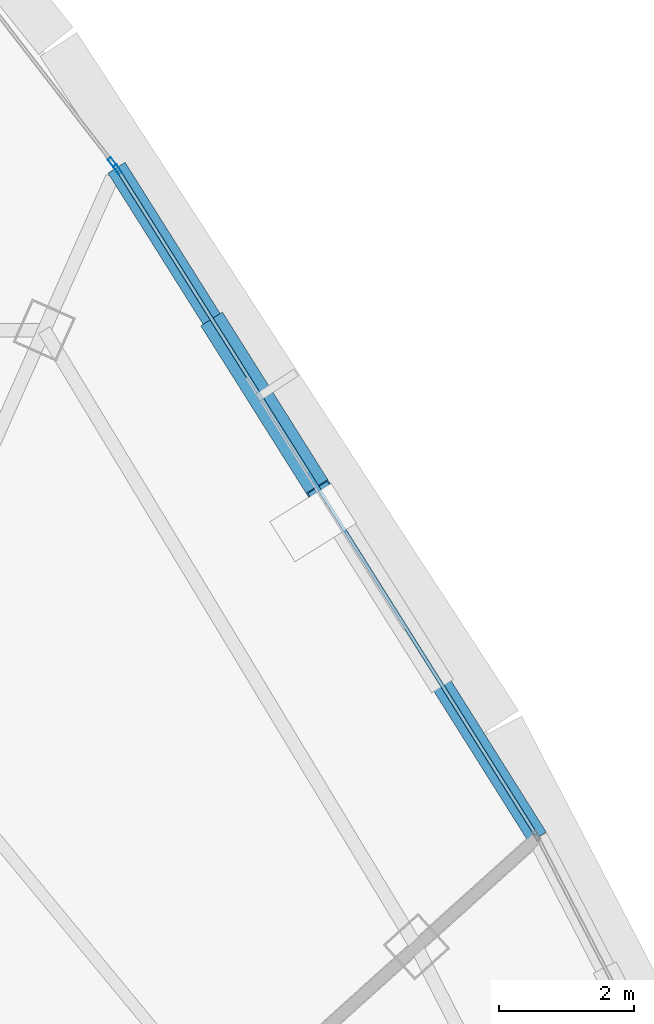
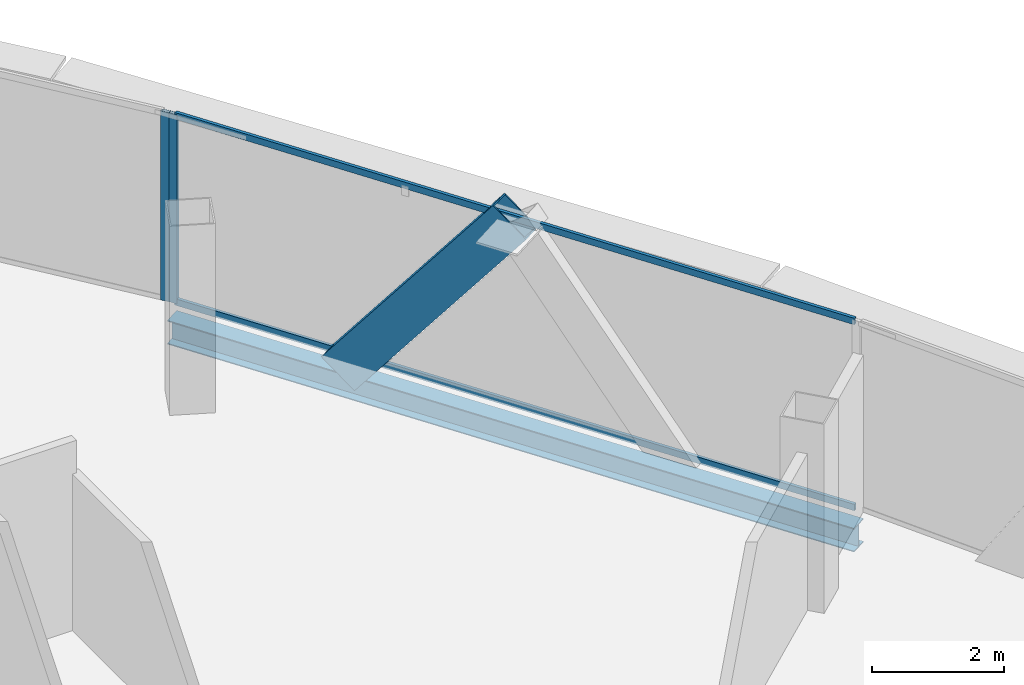
# One storey, part 20 of 30: 5 members, 1 beam, 2 elements without a shape of their own.
"""IFC4 building model written with IfcOpenShell, lengths in metres."""

from ifc_helpers import new_model, si_unit, direction, frame, origin, origin_2d, place, context, subcontext, project, spatial, hollow_rectangle, i_section, extrude, source, transform, mapped, material, layer, layer_set, material_profile, profile_set, type_object, element, aggregate, save


model = new_model("IFC4")

# Units and contexts
model_context = context("Model", 3, precision=1e-05, world=origin(), true_north=direction((0.0, 1.0)))
body_context = subcontext(model_context, "Body", "Model", "MODEL_VIEW")
ifc_project = project(units=[si_unit("LENGTHUNIT", "METRE"), si_unit("AREAUNIT", "SQUARE_METRE"), si_unit("VOLUMEUNIT", "CUBIC_METRE"), si_unit("PLANEANGLEUNIT", "RADIAN"), si_unit("MASSUNIT", "GRAM", prefix="KILO"), si_unit("THERMODYNAMICTEMPERATUREUNIT", "KELVIN"), si_unit("POWERUNIT", "WATT")], contexts=[model_context])

# Site, building, storey
site_placement = place(None, origin())
site = spatial("IfcSite", under=ifc_project, at=site_placement, CompositionType="ELEMENT")
building_placement = place(site_placement, origin())
building = spatial("IfcBuilding", under=site, at=building_placement, Name="Yunzhuo Pagoda Commons", CompositionType="ELEMENT")
storey_placement = place(building_placement, frame((0.0, 0.0, 355.510009765625)))
storey = spatial("IfcBuildingStorey", under=building, at=storey_placement, Name="L89", CompositionType="ELEMENT", Elevation=355.510009765625)

# Beam
ifc_material_1 = material(Name="Structural steel Q355B", Category="steel")
ifc_material_profile_1 = material_profile(ifc_material_1, i_section(OverallWidth=0.300048828125, OverallDepth=0.43994140625, WebThickness=0.010986328125, FlangeThickness=0.01806640625, at=origin_2d()), Name="Structural steel Q355B")
ifc_profile_set_1 = profile_set([ifc_material_profile_1], Name="Structural steel Q355B")
beam_type = type_object("IfcBeamType", Name="B-SP2 Beam HM 440x300x11x18", PredefinedType="BEAM", material=ifc_profile_set_1)
shared_shape_1 = source(origin(), body_context, "Body", "SweptSolid", [
    extrude(i_section(OverallWidth=0.300048828125, OverallDepth=0.43994140625, WebThickness=0.010986328125, FlangeThickness=0.01806640625, at=origin_2d()), origin(), (0.0, 0.0, 1.0), 11.74462890625),
])
beam_placement = place(storey_placement, frame((65.824462890625, 49.749267578125, -0.47998046875), z_axis=(-0.532345654655, 0.846527084014, 0.0), x_axis=(-0.846527084014, -0.532345654655, 0.0)))
element("IfcBeam", 1, at=beam_placement, inside=storey, type_object=beam_type, Name="L89 facade edge spandrel beam F2.3", PredefinedType="BEAM", context=body_context, shape_type="MappedRepresentation", body=[
    mapped(shared_shape_1, transform((0.0, 0.0, 0.0), scale=1.0)),
])

# Member
ifc_material_profile_2 = material_profile(ifc_material_1, hollow_rectangle(XDim=0.3798828125, YDim=0.719970703125, WallThickness=0.02001953125, at=origin_2d()), Name="Structural steel Q355B")
ifc_profile_set_2 = profile_set([ifc_material_profile_2], Name="Structural steel Q355B")
member_type_1 = type_object("IfcMemberType", Name="M-DL3 Brace BOX 720x380x20", PredefinedType="BRACE", material=ifc_profile_set_2)
shared_shape_2 = source(origin(), body_context, "Body", "SweptSolid", [
    extrude(hollow_rectangle(XDim=0.3798828125, YDim=0.719970703125, WallThickness=0.02001953125, at=origin_2d()), origin(), (0.0, 0.0, 1.0), 4.7626953125),
])
member_1_placement = place(storey_placement, frame((61.13525390625, 57.2060546875, -0.260009765625), z_axis=(0.32821625182, -0.52187563014, 0.787349934087), x_axis=(0.846504872125, 0.532380973992, 0.0)))
element("IfcMember", 2, at=member_1_placement, inside=storey, type_object=member_type_1, Name="L89 facade diamond brace F2.3R", PredefinedType="BRACE", context=body_context, shape_type="MappedRepresentation", body=[
    mapped(shared_shape_2, transform((0.0, 0.0, 0.0), scale=1.0)),
])

# Curtain wall, member
ifc_material_2 = material(Name="Anodized aluminium 6063-T6", Category="aluminium")
ifc_layer = layer(ifc_material_2, 0.139892578125)
ifc_layer_set = layer_set([ifc_layer], Name="Anodized aluminium 6063-T6")
curtain_wall_type = type_object("IfcCurtainWallType", Name="CW-HI High-Zone Ribbon Curtain Wall", PredefinedType="NOTDEFINED", material=ifc_layer_set)
curtain_wall_1_placement = place(storey_placement, origin())
curtain_wall_1 = element("IfcCurtainWall", 3, at=curtain_wall_1_placement, inside=storey, type_object=curtain_wall_type, Name="L89 curtain wall CW-L89-F2B4", PredefinedType="NOTDEFINED")
ifc_material_profile_3 = material_profile(ifc_material_2, hollow_rectangle(XDim=0.06005859375, YDim=0.139892578125, WallThickness=0.00341796875, at=origin_2d()), Name="Anodized aluminium 6063-T6")
ifc_profile_set_3 = profile_set([ifc_material_profile_3], Name="Anodized aluminium 6063-T6")
member_type_2 = type_object("IfcMemberType", Name="CW-HI-M Mullion RHS 140x60x3.5", PredefinedType="MULLION", material=ifc_profile_set_3)
shared_shape_3 = source(origin(), body_context, "Body", "SweptSolid", [
    extrude(hollow_rectangle(XDim=0.06005859375, YDim=0.139892578125, WallThickness=0.00341796875, at=origin_2d()), origin(), (0.0, 0.0, 1.0), 3.489990234375),
])
member_2_placement = place(storey_placement, frame((59.588134765625, 59.666015625, 0.0), z_axis=(0.0, 0.0, 1.0), x_axis=(-0.846524621891, -0.532349569861, 0.0)))
member_2 = element("IfcMember", 4, at=member_2_placement, type_object=member_type_2, Name="CW mullion 2", PredefinedType="MULLION", context=body_context, shape_type="MappedRepresentation", body=[
    mapped(shared_shape_3, transform((0.0, 0.0, 0.0), scale=1.0)),
])

curtain_wall_2_placement = place(storey_placement, origin())
curtain_wall_2 = element("IfcCurtainWall", 5, at=curtain_wall_2_placement, inside=storey, type_object=curtain_wall_type, Name="L89 curtain wall CW-L89-F2B5", PredefinedType="NOTDEFINED")
member_3_placement = place(storey_placement, frame((59.508056640625, 59.7744140625, 0.0), z_axis=(0.0, 0.0, 1.0), x_axis=(-0.790927145065, -0.611910329378, 0.0)))
member_3 = element("IfcMember", 6, at=member_3_placement, type_object=member_type_2, Name="CW mullion 1", PredefinedType="MULLION", context=body_context, shape_type="MappedRepresentation", body=[
    mapped(shared_shape_3, transform((0.0, 0.0, 0.0), scale=1.0)),
])
aggregate(curtain_wall_2, [member_3])

# Member
ifc_material_profile_4 = material_profile(ifc_material_2, hollow_rectangle(XDim=0.054931640625, YDim=0.1201171875, WallThickness=0.00341796875, at=origin_2d()), Name="Anodized aluminium 6063-T6")
ifc_profile_set_4 = profile_set([ifc_material_profile_4], Name="Anodized aluminium 6063-T6")
member_type_3 = type_object("IfcMemberType", Name="CW-HI-T Transom RHS 120x55x3.5", PredefinedType="USERDEFINED", material=ifc_profile_set_4)
shared_shape_4 = source(origin(), body_context, "Body", "SweptSolid", [
    extrude(hollow_rectangle(XDim=0.054931640625, YDim=0.1201171875, WallThickness=0.00341796875, at=origin_2d()), origin(), (0.0, 0.0, 1.0), 11.624755859375),
])
member_4_placement = place(storey_placement, frame((65.792724609375, 49.800048828125, 0.027587890625), z_axis=(-0.532354761255, 0.846521357184, 0.0), x_axis=(-0.846521357184, -0.532354761255, 0.0)))
member_4 = element("IfcMember", 7, at=member_4_placement, type_object=member_type_3, Name="CW transom 1.1", ObjectType="TRANSOM", PredefinedType="USERDEFINED", context=body_context, shape_type="MappedRepresentation", body=[
    mapped(shared_shape_4, transform((0.0, 0.0, 0.0), scale=1.0)),
])

member_5_placement = place(storey_placement, frame((65.792724609375, 49.800048828125, 3.46240234375), z_axis=(-0.532354761255, 0.846521357184, 0.0), x_axis=(-0.846521357184, -0.532354761255, 0.0)))
member_5 = element("IfcMember", 8, at=member_5_placement, type_object=member_type_3, Name="CW transom 1.2", ObjectType="TRANSOM", PredefinedType="USERDEFINED", context=body_context, shape_type="MappedRepresentation", body=[
    mapped(shared_shape_4, transform((0.0, 0.0, 0.0), scale=1.0)),
])

aggregate(curtain_wall_1, [member_2, member_4, member_5])

save(model, "model.ifc")
